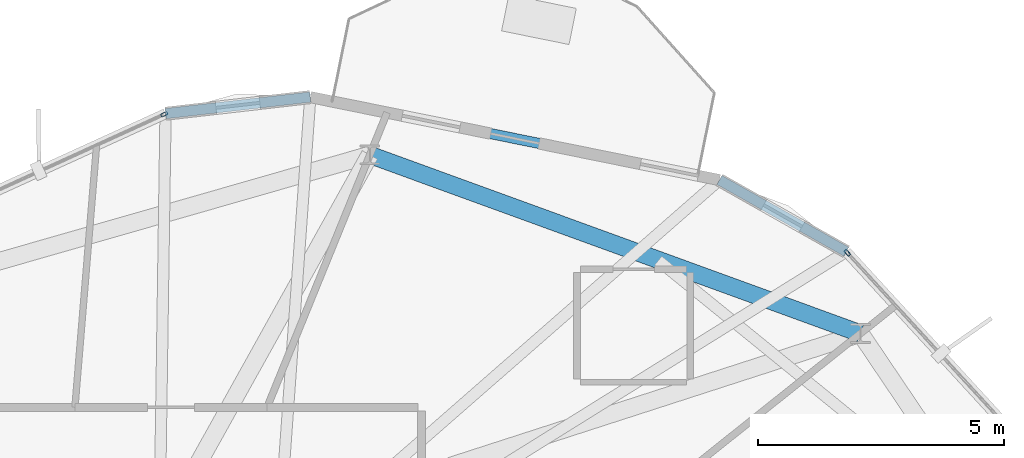
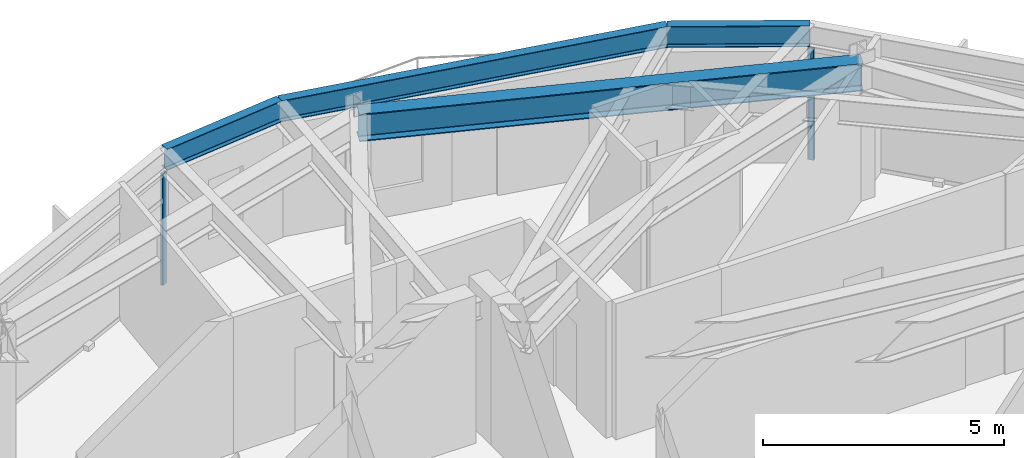
# One storey, part 15 of 23: 4 beams, 2 members, 2 elements without a shape of their own.
"""IFC4 building model written with IfcOpenShell, lengths in metres."""

from ifc_helpers import new_model, si_unit, direction, frame, origin, origin_2d, place, context, subcontext, project, spatial, hollow_rectangle, i_section, extrude, material, layer, layer_set, material_profile, profile_set, type_object, element, aggregate, save


model = new_model("IFC4")

# Units and contexts
model_context = context("Model", 3, precision=1e-05, world=origin(), true_north=direction((0.0, 1.0)))
body_context = subcontext(model_context, "Body", "Model", "MODEL_VIEW")
ifc_project = project(units=[si_unit("LENGTHUNIT", "METRE"), si_unit("AREAUNIT", "SQUARE_METRE"), si_unit("VOLUMEUNIT", "CUBIC_METRE"), si_unit("PLANEANGLEUNIT", "RADIAN"), si_unit("MASSUNIT", "GRAM", prefix="KILO")], contexts=[model_context])

# Site, building, storey
site_placement = place(None, origin())
site = spatial("IfcSite", under=ifc_project, at=site_placement, CompositionType="ELEMENT")
building_placement = place(site_placement, origin())
building = spatial("IfcBuilding", under=site, at=building_placement, Name="Soratama Intermodal Tower", CompositionType="ELEMENT")
storey_placement = place(building_placement, frame((0.0, 0.0, 261.25)))
storey = spatial("IfcBuildingStorey", under=building, at=storey_placement, Name="L66", CompositionType="ELEMENT", Elevation=261.25)

# Beams
ifc_material_1 = material(Name="Structural steel ASTM A992 Grade 50", Category="steel")
ifc_material_profile_1 = material_profile(ifc_material_1, i_section(OverallWidth=0.35498046875, OverallDepth=0.695068359375, WebThickness=0.015380859375, FlangeThickness=0.02490234375, FilletRadius=0.01611328125, at=origin_2d()), Name="W27X146")
ifc_profile_set_1 = profile_set([ifc_material_profile_1], Name="Structural steel ASTM A992 Grade 50")
beam_type_1 = type_object("IfcBeamType", Name="BM-RING-W27X146", PredefinedType="BEAM", material=ifc_profile_set_1)
beam_1_placement = place(storey_placement, frame((55.589111328125, 38.553955078125, 3.1025390625), z_axis=(-0.939684073866, 0.342043624883, 0.0), x_axis=(-0.342043624883, -0.939684073866, 0.0)))
element("IfcBeam", 1, at=beam_1_placement, inside=storey, type_object=beam_type_1, Name="BM-L66-RING-02", PredefinedType="BEAM", context=body_context, shape_type="SweptSolid", body=[
    extrude(i_section(OverallWidth=0.35498046875, OverallDepth=0.695068359375, WebThickness=0.015380859375, FlangeThickness=0.02490234375, FilletRadius=0.01611328125, at=origin_2d()), origin(), (0.0, 0.0, 1.0), 10.630126953125),
])
ifc_material_2 = material(Name="Structural steel ASTM A992 Grade 50", Category="steel")
ifc_material_profile_2 = material_profile(ifc_material_2, i_section(OverallWidth=0.2099609375, OverallDepth=0.537109375, WebThickness=0.010986328125, FlangeThickness=0.017333984375, FilletRadius=0.012939453125, at=origin_2d()), Name="W21X68")
ifc_profile_set_2 = profile_set([ifc_material_profile_2], Name="Structural steel ASTM A992 Grade 50")
beam_type_2 = type_object("IfcBeamType", Name="BM-SPN-W21X68", PredefinedType="SPANDREL", material=ifc_profile_set_2)
beam_2_placement = place(storey_placement, frame((52.718017578125, 41.678955078125, 3.181396484375), z_axis=(-0.980062535908, 0.198689269236, 0.0), x_axis=(-0.198689269236, -0.980062535908, 0.0)))
element("IfcBeam", 2, at=beam_2_placement, inside=storey, type_object=beam_type_2, Name="BS-L66-F01", PredefinedType="SPANDREL", context=body_context, shape_type="SweptSolid", body=[
    extrude(i_section(OverallWidth=0.2099609375, OverallDepth=0.537109375, WebThickness=0.010986328125, FlangeThickness=0.017333984375, FilletRadius=0.012939453125, at=origin_2d()), origin(), (0.0, 0.0, 1.0), 8.50048828125),
])
beam_3_placement = place(storey_placement, frame((44.386962890625, 43.367919921875, 3.181396484375), z_axis=(-0.99349122256, -0.113908694559, 0.0), x_axis=(0.113908694559, -0.99349122256, 0.0)))
element("IfcBeam", 3, at=beam_3_placement, inside=storey, type_object=beam_type_2, Name="BS-L66-CRN01", PredefinedType="SPANDREL", context=body_context, shape_type="SweptSolid", body=[
    extrude(i_section(OverallWidth=0.2099609375, OverallDepth=0.537109375, WebThickness=0.010986328125, FlangeThickness=0.017333984375, FilletRadius=0.012939453125, at=origin_2d()), origin(), (0.0, 0.0, 1.0), 2.96630859375),
])
beam_4_placement = place(storey_placement, frame((55.301025390625, 40.219970703125, 3.181396484375), z_axis=(-0.870703816421, 0.491807751128, 0.0), x_axis=(-0.491807751128, -0.870703816421, 0.0)))
element("IfcBeam", 4, at=beam_4_placement, inside=storey, type_object=beam_type_2, Name="BS-L66-CRN10", PredefinedType="SPANDREL", context=body_context, shape_type="SweptSolid", body=[
    extrude(i_section(OverallWidth=0.2099609375, OverallDepth=0.537109375, WebThickness=0.010986328125, FlangeThickness=0.017333984375, FilletRadius=0.012939453125, at=origin_2d()), origin(), (0.0, 0.0, 1.0), 2.966552734375),
])

# Curtain wall, member
ifc_material_3 = material(Name="Double-glazed aluminium curtain wall", Category="aluminium")
ifc_layer = layer(ifc_material_3, 0.159912109375)
ifc_layer_set = layer_set([ifc_layer], Name="Double-glazed aluminium curtain wall")
curtain_wall_type = type_object("IfcCurtainWallType", Name="CW-SYS-5", PredefinedType="NOTDEFINED", material=ifc_layer_set)
curtain_wall_1_placement = place(storey_placement, origin())
curtain_wall_1 = element("IfcCurtainWall", 5, at=curtain_wall_1_placement, inside=storey, type_object=curtain_wall_type, Name="L66 Faceted Curtain Wall F02", PredefinedType="NOTDEFINED")
ifc_material_4 = material(Name="Anodised aluminium AA 6063-T6", Category="aluminium")
ifc_material_profile_3 = material_profile(ifc_material_4, hollow_rectangle(XDim=0.06494140625, YDim=0.139892578125, WallThickness=0.0048828125, InnerFilletRadius=0.0048828125, OuterFilletRadius=0.010009765625, at=origin_2d()), Name="CWM140X65X5")
ifc_profile_set_3 = profile_set([ifc_material_profile_3], Name="Anodised aluminium AA 6063-T6")
member_type = type_object("IfcMemberType", Name="MT-CWM-5", PredefinedType="MULLION", material=ifc_profile_set_3)
member_1_placement = place(storey_placement, frame((41.41259765625, 43.017333984375, 0.0), z_axis=(0.0, 0.0, 1.0), x_axis=(0.415328753182, -0.909671383951, 0.0)))
member_1 = element("IfcMember", 6, at=member_1_placement, type_object=member_type, Name="CW-5 mullion 1", PredefinedType="MULLION", context=body_context, shape_type="SweptSolid", body=[
    extrude(hollow_rectangle(XDim=0.06494140625, YDim=0.139892578125, WallThickness=0.0048828125, InnerFilletRadius=0.0048828125, OuterFilletRadius=0.010009765625, at=origin_2d()), origin(), (0.0, 0.0, 1.0), 2.8291015625),
])
aggregate(curtain_wall_1, [member_1])

curtain_wall_2_placement = place(storey_placement, origin())
curtain_wall_2 = element("IfcCurtainWall", 7, at=curtain_wall_2_placement, inside=storey, type_object=curtain_wall_type, Name="L66 Faceted Curtain Wall F10", PredefinedType="NOTDEFINED")
member_2_placement = place(storey_placement, frame((55.32080078125, 40.197998046875, 0.0), z_axis=(0.0, 0.0, 1.0), x_axis=(-0.736802912702, -0.676107585991, 0.0)))
member_2 = element("IfcMember", 8, at=member_2_placement, type_object=member_type, Name="CW-5 mullion 2", PredefinedType="MULLION", context=body_context, shape_type="SweptSolid", body=[
    extrude(hollow_rectangle(XDim=0.06494140625, YDim=0.139892578125, WallThickness=0.0048828125, InnerFilletRadius=0.0048828125, OuterFilletRadius=0.010009765625, at=origin_2d()), origin(), (0.0, 0.0, 1.0), 2.8291015625),
])
aggregate(curtain_wall_2, [member_2])

save(model, "model.ifc")
